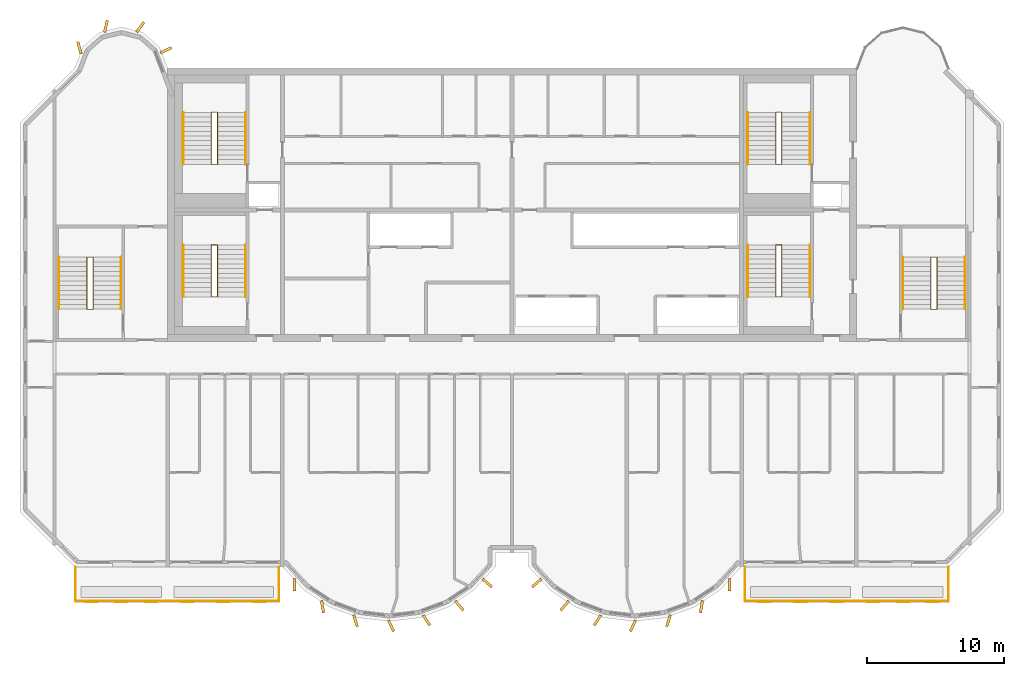
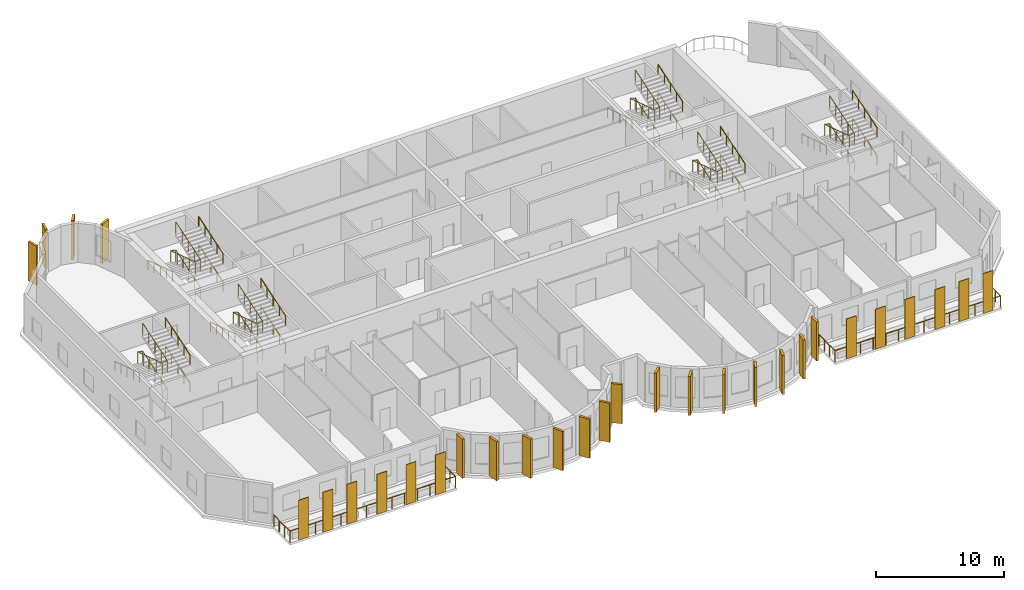
# One storey, part 9 of 11: 30 coverings, 26 railings.
"""IFC4 building model written with IfcOpenShell, lengths in metres."""

from ifc_helpers import new_model, si_unit, direction, frame, origin, origin_2d, place, context, subcontext, project, spatial, rectangle, circle, extrude, source, transform, mapped, material, layer, layer_set, material_profile, profile_set, type_object, element, save


model = new_model("IFC4")

# Units and contexts
model_context = context("Model", 3, precision=1e-05, world=origin(), true_north=direction((0.0, 1.0)))
body_context = subcontext(model_context, "Body", "Model", "MODEL_VIEW")
ifc_project = project(units=[si_unit("LENGTHUNIT", "METRE"), si_unit("AREAUNIT", "SQUARE_METRE"), si_unit("VOLUMEUNIT", "CUBIC_METRE"), si_unit("PLANEANGLEUNIT", "RADIAN"), si_unit("MASSUNIT", "GRAM", prefix="KILO")], contexts=[model_context])

# Site, building, storey
site_placement = place(None, origin())
site = spatial("IfcSite", under=ifc_project, at=site_placement, CompositionType="ELEMENT")
building_placement = place(site_placement, origin())
building = spatial("IfcBuilding", under=site, at=building_placement, Name="Vanashikhar Sky Hotel", CompositionType="ELEMENT")
storey_placement = place(building_placement, frame((0.0, 0.0, 305.699951171875)))
storey = spatial("IfcBuildingStorey", under=building, at=storey_placement, Name="L73", CompositionType="ELEMENT", Elevation=305.699951171875)

# Railings
ifc_material_1 = material(Name="Stainless steel 316", Category="steel")
railing_type_1 = type_object("IfcRailingType", Name="Balcony guard 1100", PredefinedType="GUARDRAIL", material=ifc_material_1)
shared_shape_1 = source(origin(), body_context, "Body", "SweptSolid", [
    extrude(circle(Radius=0.02392578125, at=origin_2d()), frame((0.0, 0.0, 1.076171875), z_axis=(0.0, -1.0, 0.0), x_axis=(1.0, 0.0, 0.0)), (0.0, 0.0, 1.0), 2.5),
    extrude(circle(Radius=0.02392578125, at=origin_2d()), frame((0.0, -2.5, 1.076171875), z_axis=(1.0, 0.0, 0.0), x_axis=(0.0, 1.0, 0.0)), (0.0, 0.0, 1.0), 14.880126953125),
    extrude(circle(Radius=0.02392578125, at=origin_2d()), frame((14.880126953125, -2.5, 1.076171875), z_axis=(0.0, 1.0, 0.0), x_axis=(-1.0, 0.0, 0.0)), (0.0, 0.0, 1.0), 2.5),
    extrude(circle(Radius=0.02099609375, at=origin_2d()), origin(), (0.0, 0.0, 1.0), 1.052001953125),
    extrude(circle(Radius=0.02099609375, at=origin_2d()), frame((0.0, -0.833251953125, 0.0)), (0.0, 0.0, 1.0), 1.052001953125),
    extrude(circle(Radius=0.02099609375, at=origin_2d()), frame((0.0, -1.666748046875, 0.0)), (0.0, 0.0, 1.0), 1.052001953125),
    extrude(circle(Radius=0.02099609375, at=origin_2d()), frame((0.0, -2.5, 0.0)), (0.0, 0.0, 1.0), 1.052001953125),
    extrude(circle(Radius=0.02099609375, at=origin_2d()), frame((1.14453125, -2.5, 0.0)), (0.0, 0.0, 1.0), 1.052001953125),
    extrude(circle(Radius=0.02099609375, at=origin_2d()), frame((2.289306640625, -2.5, 0.0)), (0.0, 0.0, 1.0), 1.052001953125),
    extrude(circle(Radius=0.02099609375, at=origin_2d()), frame((3.433837890625, -2.5, 0.0)), (0.0, 0.0, 1.0), 1.052001953125),
    extrude(circle(Radius=0.02099609375, at=origin_2d()), frame((4.57861328125, -2.5, 0.0)), (0.0, 0.0, 1.0), 1.052001953125),
    extrude(circle(Radius=0.02099609375, at=origin_2d()), frame((5.72314453125, -2.5, 0.0)), (0.0, 0.0, 1.0), 1.052001953125),
    extrude(circle(Radius=0.02099609375, at=origin_2d()), frame((6.86767578125, -2.5, 0.0)), (0.0, 0.0, 1.0), 1.052001953125),
    extrude(circle(Radius=0.02099609375, at=origin_2d()), frame((8.012451171875, -2.5, 0.0)), (0.0, 0.0, 1.0), 1.052001953125),
    extrude(circle(Radius=0.02099609375, at=origin_2d()), frame((9.156982421875, -2.5, 0.0)), (0.0, 0.0, 1.0), 1.052001953125),
    extrude(circle(Radius=0.02099609375, at=origin_2d()), frame((10.301513671875, -2.5, 0.0)), (0.0, 0.0, 1.0), 1.052001953125),
    extrude(circle(Radius=0.02099609375, at=origin_2d()), frame((11.4462890625, -2.5, 0.0)), (0.0, 0.0, 1.0), 1.052001953125),
    extrude(circle(Radius=0.02099609375, at=origin_2d()), frame((12.5908203125, -2.5, 0.0)), (0.0, 0.0, 1.0), 1.052001953125),
    extrude(circle(Radius=0.02099609375, at=origin_2d()), frame((13.735595703125, -2.5, 0.0)), (0.0, 0.0, 1.0), 1.052001953125),
    extrude(circle(Radius=0.02099609375, at=origin_2d()), frame((14.880126953125, -2.5, 0.0)), (0.0, 0.0, 1.0), 1.052001953125),
    extrude(circle(Radius=0.02099609375, at=origin_2d()), frame((14.880126953125, -1.666748046875, 0.0)), (0.0, 0.0, 1.0), 1.052001953125),
    extrude(circle(Radius=0.02099609375, at=origin_2d()), frame((14.880126953125, -0.833251953125, 0.0)), (0.0, 0.0, 1.0), 1.052001953125),
    extrude(circle(Radius=0.02099609375, at=origin_2d()), frame((14.880126953125, 0.0, 0.0)), (0.0, 0.0, 1.0), 1.052001953125),
])
for number, where, name in (
    (1, (18.4599609375, 5.5, -0.050048828125), "Balcony guard"),
    (2, (67.4599609375, 5.5, -0.050048828125), "Balcony guard"),
):
    element("IfcRailing", number, at=place(storey_placement, frame(where)), inside=storey, type_object=railing_type_1, Name=name, PredefinedType="GUARDRAIL", context=body_context, shape_type="MappedRepresentation", body=[
        mapped(shared_shape_1, transform((0.0, 0.0, 0.0), scale=1.0)),
    ])

# Coverings
ifc_material_2 = material(Name="Terracotta", Category="masonry")
ifc_layer = layer(ifc_material_2, 0.06005859375)
ifc_layer_set = layer_set([ifc_layer], Name="Terracotta baguette screen")
covering_type_1 = type_object("IfcCoveringType", Name="Terracotta baguette screen", PredefinedType="CLADDING", material=ifc_layer_set)
shared_shape_2 = source(origin(), body_context, "Body", "SweptSolid", [
    extrude(rectangle(XDim=0.89990234375, YDim=0.06005859375, at=origin_2d()), origin(), (0.0, 0.0, 1.0), 3.800048828125),
])
for number, where, z_axis, x_axis, name in (
    (3, (19.63330078125, 2.929931640625, -0.0498046875), (0.0, 0.0, 1.0), (1.0, 0.0, 0.0), "Terracotta screen"),
    (4, (21.800048828125, 2.929931640625, -0.0498046875), (0.0, 0.0, 1.0), (1.0, 0.0, 0.0), "Terracotta screen"),
    (5, (23.966796875, 2.929931640625, -0.0498046875), (0.0, 0.0, 1.0), (1.0, 0.0, 0.0), "Terracotta screen"),
    (6, (26.666748046875, 2.929931640625, -0.0498046875), (0.0, 0.0, 1.0), (1.0, 0.0, 0.0), "Terracotta screen"),
    (7, (29.300048828125, 2.929931640625, -0.0498046875), (0.0, 0.0, 1.0), (1.0, 0.0, 0.0), "Terracotta screen"),
    (8, (31.933349609375, 2.929931640625, -0.0498046875), (0.0, 0.0, 1.0), (1.0, 0.0, 0.0), "Terracotta screen"),
    (9, (68.86669921875, 2.929931640625, -0.0498046875), (0.0, 0.0, 1.0), (1.0, 0.0, 0.0), "Terracotta screen"),
    (10, (71.5, 2.929931640625, -0.0498046875), (0.0, 0.0, 1.0), (1.0, 0.0, 0.0), "Terracotta screen"),
    (11, (74.13330078125, 2.929931640625, -0.0498046875), (0.0, 0.0, 1.0), (1.0, 0.0, 0.0), "Terracotta screen"),
    (12, (76.833251953125, 2.929931640625, -0.0498046875), (0.0, 0.0, 1.0), (1.0, 0.0, 0.0), "Terracotta screen"),
    (13, (79.0, 2.929931640625, -0.0498046875), (0.0, 0.0, 1.0), (1.0, 0.0, 0.0), "Terracotta screen"),
    (14, (81.166748046875, 2.929931640625, -0.0498046875), (0.0, 0.0, 1.0), (1.0, 0.0, 0.0), "Terracotta screen"),
):
    element("IfcCovering", number, at=place(storey_placement, frame(where, z_axis=z_axis, x_axis=x_axis)), inside=storey, type_object=covering_type_1, Name=name, PredefinedType="CLADDING", context=body_context, shape_type="MappedRepresentation", body=[
        mapped(shared_shape_2, transform((0.0, 0.0, 0.0), scale=1.0)),
    ])
ifc_material_3 = material(Name="Concrete M60 dark", Category="concrete")
ifc_material_profile = material_profile(ifc_material_3, rectangle(XDim=0.89990234375, YDim=0.199951171875, at=origin_2d()))
ifc_profile_set = profile_set([ifc_material_profile], Name="Crown fin 900 x 200")
covering_type_2 = type_object("IfcCoveringType", Name="Crown fin 900 x 200", PredefinedType="CLADDING", material=ifc_profile_set)
shared_shape_3 = source(origin(), body_context, "Body", "SweptSolid", [
    extrude(rectangle(XDim=0.89990234375, YDim=0.199951171875, at=origin_2d()), origin(), (0.0, 0.0, 1.0), 3.719970703125),
])
for number, where, z_axis, x_axis, name in (
    (15, (34.47998046875, 4.193115234375, 0.0), (0.0, 0.0, 1.0), (0.011588726826, -0.999932848451, 0.0), "Fin F1-1"),
    (16, (36.53857421875, 2.5751953125, 0.0), (0.0, 0.0, 1.0), (0.16989991575, -0.985461322746, 0.0), "Fin F1-2"),
    (17, (38.947509765625, 1.547607421875, 0.0), (0.0, 0.0, 1.0), (0.303966551867, -0.952682704444, 0.0), "Fin F1-3"),
    (18, (41.5478515625, 1.182861328125, 0.0), (0.0, 0.0, 1.0), (0.422618261741, -0.906307787037, 0.0), "Fin F1-4"),
    (19, (44.14501953125, 1.585205078125, 0.0), (0.0, 0.0, 1.0), (0.534411358496, -0.845224526331, 0.0), "Fin F1-5"),
    (20, (46.547119140625, 2.652587890625, 0.0), (0.0, 0.0, 1.0), (0.645697609467, -0.763593214433, 0.0), "Fin F1-6"),
    (21, (48.589599609375, 4.31494140625, 0.0), (0.0, 0.0, 1.0), (0.758543912032, -0.65162192529, 0.0), "Fin F1-7"),
    (22, (52.21044921875, 4.31494140625, 0.0), (0.0, 0.0, 1.0), (-0.758543912032, -0.65162192529, 0.0), "Fin F2-1"),
    (23, (54.2529296875, 2.652587890625, 0.0), (0.0, 0.0, 1.0), (-0.645697609467, -0.763593214433, 0.0), "Fin F2-2"),
    (24, (56.654052734375, 1.585205078125, 0.0), (0.0, 0.0, 1.0), (-0.534411358496, -0.845224526331, 0.0), "Fin F2-3"),
    (25, (59.252197265625, 1.182861328125, 0.0), (0.0, 0.0, 1.0), (-0.422618261741, -0.906307787037, 0.0), "Fin F2-4"),
    (26, (61.8515625, 1.547607421875, 0.0), (0.0, 0.0, 1.0), (-0.303966551867, -0.952682704444, 0.0), "Fin F2-5"),
    (27, (64.261474609375, 2.5751953125, 0.0), (0.0, 0.0, 1.0), (-0.16989991575, -0.985461322746, 0.0), "Fin F2-6"),
    (28, (66.31982421875, 4.193115234375, 0.0), (0.0, 0.0, 1.0), (-0.011588726826, -0.999932848451, 0.0), "Fin F2-7"),
    (29, (18.7470703125, 43.483642578125, 0.0), (0.0, 0.0, 1.0), (-0.262711264409, 0.964874495234, 0.0), "Fin R1-1"),
    (30, (20.6875, 45.048095703125, 0.0), (0.0, 0.0, 1.0), (0.224644935864, 0.974440687159, 0.0), "Fin R1-2"),
    (31, (23.20166015625, 44.986572265625, 0.0), (0.0, 0.0, 1.0), (0.602065892195, 0.798446404874, 0.0), "Fin R1-3"),
    (32, (25.078857421875, 43.29248046875, 0.0), (0.0, 0.0, 1.0), (0.908004291068, 0.418960866193, 0.0), "Fin R1-4"),
):
    element("IfcCovering", number, at=place(storey_placement, frame(where, z_axis=z_axis, x_axis=x_axis)), inside=storey, type_object=covering_type_2, Name=name, PredefinedType="CLADDING", context=body_context, shape_type="MappedRepresentation", body=[
        mapped(shared_shape_3, transform((0.0, 0.0, 0.0), scale=1.0)),
    ])

# Railings
ifc_material_4 = material(Name="Steel S355", Category="steel")
railing_type_2 = type_object("IfcRailingType", Name="Stair handrail 900", PredefinedType="HANDRAIL", material=ifc_material_4)
shared_shape_4 = source(origin(), body_context, "Body", "SweptSolid", [
    extrude(circle(Radius=0.02392578125, at=origin_2d()), frame((0.0, 0.0, 0.8759765625), z_axis=(0.0, 0.95197572919, 0.306173498254), x_axis=(-1.0, 0.0, 0.0)), (0.0, 0.0, 1.0), 3.99169921875),
    extrude(circle(Radius=0.02099609375, at=origin_2d()), origin(), (0.0, 0.0, 1.0), 0.851806640625),
    extrude(circle(Radius=0.02099609375, at=origin_2d()), frame((0.0, 0.949951171875, 0.3056640625)), (0.0, 0.0, 1.0), 0.851806640625),
    extrude(circle(Radius=0.02099609375, at=origin_2d()), frame((0.0, 1.89990234375, 0.611083984375)), (0.0, 0.0, 1.0), 0.851806640625),
    extrude(circle(Radius=0.02099609375, at=origin_2d()), frame((0.0, 2.85009765625, 0.91650390625)), (0.0, 0.0, 1.0), 0.851806640625),
    extrude(circle(Radius=0.02099609375, at=origin_2d()), frame((0.0, 3.800048828125, 1.22216796875)), (0.0, 0.0, 1.0), 0.851806640625),
])
for number, where, name in (
    (33, (30.89990234375, 25.25, 2.77783203125), "Exit stair 1 handrail"),
    (34, (72.199951171875, 25.25, 2.77783203125), "Exit stair 2 handrail"),
    (35, (30.89990234375, 34.949951171875, 2.77783203125), "Exit stair 5 handrail"),
    (36, (72.199951171875, 34.949951171875, 2.77783203125), "Exit stair 6 handrail"),
):
    element("IfcRailing", number, at=place(storey_placement, frame(where)), inside=storey, type_object=railing_type_2, Name=name, PredefinedType="HANDRAIL", context=body_context, shape_type="MappedRepresentation", body=[
        mapped(shared_shape_4, transform((0.0, 0.0, 0.0), scale=1.0)),
    ])
shared_shape_5 = source(origin(), body_context, "Body", "SweptSolid", [
    extrude(circle(Radius=0.02392578125, at=origin_2d()), frame((0.0, 0.0, 0.8759765625), z_axis=(0.0, -0.95197572919, 0.306173498254), x_axis=(1.0, 0.0, 0.0)), (0.0, 0.0, 1.0), 3.99169921875),
    extrude(circle(Radius=0.02099609375, at=origin_2d()), origin(), (0.0, 0.0, 1.0), 0.851806640625),
    extrude(circle(Radius=0.02099609375, at=origin_2d()), frame((0.0, -0.949951171875, 0.3056640625)), (0.0, 0.0, 1.0), 0.851806640625),
    extrude(circle(Radius=0.02099609375, at=origin_2d()), frame((0.0, -1.89990234375, 0.611083984375)), (0.0, 0.0, 1.0), 0.851806640625),
    extrude(circle(Radius=0.02099609375, at=origin_2d()), frame((0.0, -2.85009765625, 0.91650390625)), (0.0, 0.0, 1.0), 0.851806640625),
    extrude(circle(Radius=0.02099609375, at=origin_2d()), frame((0.0, -3.800048828125, 1.22216796875)), (0.0, 0.0, 1.0), 0.851806640625),
])
for number, where, name in (
    (37, (26.35009765625, 29.050048828125, 1.444580078125), "Exit stair 1 handrail"),
    (38, (67.64990234375, 29.050048828125, 1.444580078125), "Exit stair 2 handrail"),
    (39, (26.35009765625, 38.75, 1.444580078125), "Exit stair 5 handrail"),
    (40, (67.64990234375, 38.75, 1.444580078125), "Exit stair 6 handrail"),
):
    element("IfcRailing", number, at=place(storey_placement, frame(where)), inside=storey, type_object=railing_type_2, Name=name, PredefinedType="HANDRAIL", context=body_context, shape_type="MappedRepresentation", body=[
        mapped(shared_shape_5, transform((0.0, 0.0, 0.0), scale=1.0)),
    ])
railing_type_3 = type_object("IfcRailingType", Name="Stair guard 1100", PredefinedType="GUARDRAIL", material=ifc_material_4)
shared_shape_6 = source(origin(), body_context, "Body", "SweptSolid", [
    extrude(circle(Radius=0.02392578125, at=origin_2d()), frame((0.0, 0.0, 1.076171875), z_axis=(0.970881249867, 0.0, 0.239561262847), x_axis=(0.0, 1.0, 0.0)), (0.0, 0.0, 1.0), 0.463623046875),
    extrude(circle(Radius=0.02392578125, at=origin_2d()), frame((0.4501953125, 0.0, 1.18701171875), z_axis=(0.0, 0.95195790124, 0.306228924607), x_axis=(-1.0, 0.0, 0.0)), (0.0, 0.0, 1.0), 3.991943359375),
    extrude(circle(Radius=0.02392578125, at=origin_2d()), frame((0.4501953125, 3.800048828125, 2.40966796875), z_axis=(-0.970881249867, 0.0, 0.239561262847), x_axis=(0.0, -1.0, 0.0)), (0.0, 0.0, 1.0), 0.463623046875),
    extrude(circle(Radius=0.02392578125, at=origin_2d()), frame((0.0, 3.800048828125, 2.5205078125), z_axis=(0.0, -0.95197572919, 0.306173498254), x_axis=(1.0, 0.0, 0.0)), (0.0, 0.0, 1.0), 3.99169921875),
    extrude(circle(Radius=0.02392578125, at=origin_2d()), frame((0.0, 0.0, 3.74267578125), z_axis=(0.970881249867, 0.0, 0.239561262847), x_axis=(0.0, 1.0, 0.0)), (0.0, 0.0, 1.0), 0.463623046875),
    extrude(circle(Radius=0.02392578125, at=origin_2d()), frame((0.4501953125, 0.0, 3.85400390625), z_axis=(0.0, 0.95197572919, 0.306173498254), x_axis=(-1.0, 0.0, 0.0)), (0.0, 0.0, 1.0), 3.99169921875),
    extrude(circle(Radius=0.02099609375, at=origin_2d()), origin(), (0.0, 0.0, 1.0), 1.052001953125),
    extrude(circle(Radius=0.02099609375, at=origin_2d()), frame((0.4501953125, 0.0, 0.111083984375)), (0.0, 0.0, 1.0), 1.052001953125),
    extrude(circle(Radius=0.02099609375, at=origin_2d()), frame((0.4501953125, 0.949951171875, 0.416748046875)), (0.0, 0.0, 1.0), 1.052001953125),
    extrude(circle(Radius=0.02099609375, at=origin_2d()), frame((0.4501953125, 1.89990234375, 0.72216796875)), (0.0, 0.0, 1.0), 1.052001953125),
    extrude(circle(Radius=0.02099609375, at=origin_2d()), frame((0.4501953125, 2.85009765625, 1.02783203125)), (0.0, 0.0, 1.0), 1.052001953125),
    extrude(circle(Radius=0.02099609375, at=origin_2d()), frame((0.4501953125, 3.800048828125, 1.33349609375)), (0.0, 0.0, 1.0), 1.052001953125),
    extrude(circle(Radius=0.02099609375, at=origin_2d()), frame((0.0, 3.800048828125, 1.444580078125)), (0.0, 0.0, 1.0), 1.052001953125),
    extrude(circle(Radius=0.02099609375, at=origin_2d()), frame((0.0, 2.85009765625, 1.75)), (0.0, 0.0, 1.0), 1.052001953125),
    extrude(circle(Radius=0.02099609375, at=origin_2d()), frame((0.0, 1.89990234375, 2.0556640625)), (0.0, 0.0, 1.0), 1.052001953125),
    extrude(circle(Radius=0.02099609375, at=origin_2d()), frame((0.0, 0.949951171875, 2.361328125)), (0.0, 0.0, 1.0), 1.052001953125),
    extrude(circle(Radius=0.02099609375, at=origin_2d()), frame((0.0, 0.0, 2.666748046875)), (0.0, 0.0, 1.0), 1.052001953125),
    extrude(circle(Radius=0.02099609375, at=origin_2d()), frame((0.4501953125, 0.0, 2.77783203125)), (0.0, 0.0, 1.0), 1.052001953125),
    extrude(circle(Radius=0.02099609375, at=origin_2d()), frame((0.4501953125, 0.949951171875, 3.08349609375)), (0.0, 0.0, 1.0), 1.052001953125),
    extrude(circle(Radius=0.02099609375, at=origin_2d()), frame((0.4501953125, 1.89990234375, 3.388916015625)), (0.0, 0.0, 1.0), 1.052001953125),
    extrude(circle(Radius=0.02099609375, at=origin_2d()), frame((0.4501953125, 2.85009765625, 3.6943359375)), (0.0, 0.0, 1.0), 1.052001953125),
    extrude(circle(Radius=0.02099609375, at=origin_2d()), frame((0.4501953125, 3.800048828125, 4.0)), (0.0, 0.0, 1.0), 1.052001953125),
])
for number, where, name in (
    (41, (28.39990234375, 25.25, 0.0), "Exit stair 1 guard"),
    (42, (28.39990234375, 34.949951171875, 0.0), "Exit stair 5 guard"),
):
    element("IfcRailing", number, at=place(storey_placement, frame(where)), inside=storey, type_object=railing_type_3, Name=name, PredefinedType="GUARDRAIL", context=body_context, shape_type="MappedRepresentation", body=[
        mapped(shared_shape_6, transform((0.0, 0.0, 0.0), scale=1.0)),
    ])
shared_shape_7 = source(origin(), body_context, "Body", "SweptSolid", [
    extrude(circle(Radius=0.02392578125, at=origin_2d()), frame((0.0, 0.0, 0.8759765625), z_axis=(0.0, 0.95195790124, 0.306228924607), x_axis=(-1.0, 0.0, 0.0)), (0.0, 0.0, 1.0), 3.991943359375),
    extrude(circle(Radius=0.02099609375, at=origin_2d()), origin(), (0.0, 0.0, 1.0), 0.851806640625),
    extrude(circle(Radius=0.02099609375, at=origin_2d()), frame((0.0, 0.949951171875, 0.3056640625)), (0.0, 0.0, 1.0), 0.851806640625),
    extrude(circle(Radius=0.02099609375, at=origin_2d()), frame((0.0, 1.89990234375, 0.611328125)), (0.0, 0.0, 1.0), 0.851806640625),
    extrude(circle(Radius=0.02099609375, at=origin_2d()), frame((0.0, 2.85009765625, 0.916748046875)), (0.0, 0.0, 1.0), 0.851806640625),
    extrude(circle(Radius=0.02099609375, at=origin_2d()), frame((0.0, 3.800048828125, 1.222412109375)), (0.0, 0.0, 1.0), 0.851806640625),
])
for number, where, name in (
    (43, (30.89990234375, 25.25, 0.111083984375), "Exit stair 1 handrail"),
    (44, (72.199951171875, 25.25, 0.111083984375), "Exit stair 2 handrail"),
    (45, (30.89990234375, 34.949951171875, 0.111083984375), "Exit stair 5 handrail"),
    (46, (72.199951171875, 34.949951171875, 0.111083984375), "Exit stair 6 handrail"),
):
    element("IfcRailing", number, at=place(storey_placement, frame(where)), inside=storey, type_object=railing_type_2, Name=name, PredefinedType="HANDRAIL", context=body_context, shape_type="MappedRepresentation", body=[
        mapped(shared_shape_7, transform((0.0, 0.0, 0.0), scale=1.0)),
    ])
shared_shape_8 = source(origin(), body_context, "Body", "SweptSolid", [
    extrude(circle(Radius=0.02392578125, at=origin_2d()), frame((0.0, 0.0, 1.076171875), z_axis=(0.970851010584, 0.0, 0.239683781777), x_axis=(0.0, 1.0, 0.0)), (0.0, 0.0, 1.0), 0.46337890625),
    extrude(circle(Radius=0.02392578125, at=origin_2d()), frame((0.449951171875, 0.0, 1.18701171875), z_axis=(0.0, 0.95195790124, 0.306228924607), x_axis=(-1.0, 0.0, 0.0)), (0.0, 0.0, 1.0), 3.991943359375),
    extrude(circle(Radius=0.02392578125, at=origin_2d()), frame((0.449951171875, 3.800048828125, 2.40966796875), z_axis=(-0.970851010584, 0.0, 0.239683781777), x_axis=(0.0, -1.0, 0.0)), (0.0, 0.0, 1.0), 0.46337890625),
    extrude(circle(Radius=0.02392578125, at=origin_2d()), frame((0.0, 3.800048828125, 2.5205078125), z_axis=(0.0, -0.95197572919, 0.306173498254), x_axis=(1.0, 0.0, 0.0)), (0.0, 0.0, 1.0), 3.99169921875),
    extrude(circle(Radius=0.02392578125, at=origin_2d()), frame((0.0, 0.0, 3.74267578125), z_axis=(0.970851010584, 0.0, 0.239683781777), x_axis=(0.0, 1.0, 0.0)), (0.0, 0.0, 1.0), 0.46337890625),
    extrude(circle(Radius=0.02392578125, at=origin_2d()), frame((0.449951171875, 0.0, 3.85400390625), z_axis=(0.0, 0.95197572919, 0.306173498254), x_axis=(-1.0, 0.0, 0.0)), (0.0, 0.0, 1.0), 3.99169921875),
    extrude(circle(Radius=0.02099609375, at=origin_2d()), origin(), (0.0, 0.0, 1.0), 1.052001953125),
    extrude(circle(Radius=0.02099609375, at=origin_2d()), frame((0.449951171875, 0.0, 0.111083984375)), (0.0, 0.0, 1.0), 1.052001953125),
    extrude(circle(Radius=0.02099609375, at=origin_2d()), frame((0.449951171875, 0.949951171875, 0.416748046875)), (0.0, 0.0, 1.0), 1.052001953125),
    extrude(circle(Radius=0.02099609375, at=origin_2d()), frame((0.449951171875, 1.89990234375, 0.72216796875)), (0.0, 0.0, 1.0), 1.052001953125),
    extrude(circle(Radius=0.02099609375, at=origin_2d()), frame((0.449951171875, 2.85009765625, 1.02783203125)), (0.0, 0.0, 1.0), 1.052001953125),
    extrude(circle(Radius=0.02099609375, at=origin_2d()), frame((0.449951171875, 3.800048828125, 1.33349609375)), (0.0, 0.0, 1.0), 1.052001953125),
    extrude(circle(Radius=0.02099609375, at=origin_2d()), frame((0.0, 3.800048828125, 1.444580078125)), (0.0, 0.0, 1.0), 1.052001953125),
    extrude(circle(Radius=0.02099609375, at=origin_2d()), frame((0.0, 2.85009765625, 1.75)), (0.0, 0.0, 1.0), 1.052001953125),
    extrude(circle(Radius=0.02099609375, at=origin_2d()), frame((0.0, 1.89990234375, 2.0556640625)), (0.0, 0.0, 1.0), 1.052001953125),
    extrude(circle(Radius=0.02099609375, at=origin_2d()), frame((0.0, 0.949951171875, 2.361328125)), (0.0, 0.0, 1.0), 1.052001953125),
    extrude(circle(Radius=0.02099609375, at=origin_2d()), frame((0.0, 0.0, 2.666748046875)), (0.0, 0.0, 1.0), 1.052001953125),
    extrude(circle(Radius=0.02099609375, at=origin_2d()), frame((0.449951171875, 0.0, 2.77783203125)), (0.0, 0.0, 1.0), 1.052001953125),
    extrude(circle(Radius=0.02099609375, at=origin_2d()), frame((0.449951171875, 0.949951171875, 3.08349609375)), (0.0, 0.0, 1.0), 1.052001953125),
    extrude(circle(Radius=0.02099609375, at=origin_2d()), frame((0.449951171875, 1.89990234375, 3.388916015625)), (0.0, 0.0, 1.0), 1.052001953125),
    extrude(circle(Radius=0.02099609375, at=origin_2d()), frame((0.449951171875, 2.85009765625, 3.6943359375)), (0.0, 0.0, 1.0), 1.052001953125),
    extrude(circle(Radius=0.02099609375, at=origin_2d()), frame((0.449951171875, 3.800048828125, 4.0)), (0.0, 0.0, 1.0), 1.052001953125),
])
for number, where, name in (
    (47, (69.699951171875, 25.25, 0.0), "Exit stair 2 guard"),
    (48, (69.699951171875, 34.949951171875, 0.0), "Exit stair 6 guard"),
):
    element("IfcRailing", number, at=place(storey_placement, frame(where)), inside=storey, type_object=railing_type_3, Name=name, PredefinedType="GUARDRAIL", context=body_context, shape_type="MappedRepresentation", body=[
        mapped(shared_shape_8, transform((0.0, 0.0, 0.0), scale=1.0)),
    ])
shared_shape_9 = source(origin(), body_context, "Body", "SweptSolid", [
    extrude(circle(Radius=0.02392578125, at=origin_2d()), frame((0.0, 0.0, 0.8759765625), z_axis=(0.0, 0.951969995293, 0.306191325908), x_axis=(-1.0, 0.0, 0.0)), (0.0, 0.0, 1.0), 3.991455078125),
    extrude(circle(Radius=0.02099609375, at=origin_2d()), origin(), (0.0, 0.0, 1.0), 0.851806640625),
    extrude(circle(Radius=0.02099609375, at=origin_2d()), frame((0.0, 0.949951171875, 0.3056640625)), (0.0, 0.0, 1.0), 0.851806640625),
    extrude(circle(Radius=0.02099609375, at=origin_2d()), frame((0.0, 1.89990234375, 0.611083984375)), (0.0, 0.0, 1.0), 0.851806640625),
    extrude(circle(Radius=0.02099609375, at=origin_2d()), frame((0.0, 2.849853515625, 0.91650390625)), (0.0, 0.0, 1.0), 0.851806640625),
    extrude(circle(Radius=0.02099609375, at=origin_2d()), frame((0.0, 3.7998046875, 1.22216796875)), (0.0, 0.0, 1.0), 0.851806640625),
])
for number, where, name in (
    (49, (21.800048828125, 24.35009765625, 2.77783203125), "Exit stair 3 handrail"),
    (50, (83.550048828125, 24.35009765625, 2.77783203125), "Exit stair 4 handrail"),
):
    element("IfcRailing", number, at=place(storey_placement, frame(where)), inside=storey, type_object=railing_type_2, Name=name, PredefinedType="HANDRAIL", context=body_context, shape_type="MappedRepresentation", body=[
        mapped(shared_shape_9, transform((0.0, 0.0, 0.0), scale=1.0)),
    ])
shared_shape_10 = source(origin(), body_context, "Body", "SweptSolid", [
    extrude(circle(Radius=0.02392578125, at=origin_2d()), frame((0.0, 0.0, 0.8759765625), z_axis=(0.0, -0.951969995293, 0.306191325908), x_axis=(1.0, 0.0, 0.0)), (0.0, 0.0, 1.0), 3.991455078125),
    extrude(circle(Radius=0.02099609375, at=origin_2d()), origin(), (0.0, 0.0, 1.0), 0.851806640625),
    extrude(circle(Radius=0.02099609375, at=origin_2d()), frame((0.0, -0.949951171875, 0.3056640625)), (0.0, 0.0, 1.0), 0.851806640625),
    extrude(circle(Radius=0.02099609375, at=origin_2d()), frame((0.0, -1.89990234375, 0.611083984375)), (0.0, 0.0, 1.0), 0.851806640625),
    extrude(circle(Radius=0.02099609375, at=origin_2d()), frame((0.0, -2.849853515625, 0.91650390625)), (0.0, 0.0, 1.0), 0.851806640625),
    extrude(circle(Radius=0.02099609375, at=origin_2d()), frame((0.0, -3.7998046875, 1.22216796875)), (0.0, 0.0, 1.0), 0.851806640625),
])
for number, where, name in (
    (51, (17.25, 28.14990234375, 1.444580078125), "Exit stair 3 handrail"),
    (52, (79.0, 28.14990234375, 1.444580078125), "Exit stair 4 handrail"),
):
    element("IfcRailing", number, at=place(storey_placement, frame(where)), inside=storey, type_object=railing_type_2, Name=name, PredefinedType="HANDRAIL", context=body_context, shape_type="MappedRepresentation", body=[
        mapped(shared_shape_10, transform((0.0, 0.0, 0.0), scale=1.0)),
    ])
shared_shape_11 = source(origin(), body_context, "Body", "SweptSolid", [
    extrude(circle(Radius=0.02392578125, at=origin_2d()), frame((0.0, 0.0, 1.076171875), z_axis=(0.970851010584, 0.0, 0.239683781777), x_axis=(0.0, 1.0, 0.0)), (0.0, 0.0, 1.0), 0.46337890625),
    extrude(circle(Radius=0.02392578125, at=origin_2d()), frame((0.449951171875, 0.0, 1.18701171875), z_axis=(0.0, 0.951952165375, 0.306246754821), x_axis=(-1.0, 0.0, 0.0)), (0.0, 0.0, 1.0), 3.99169921875),
    extrude(circle(Radius=0.02392578125, at=origin_2d()), frame((0.449951171875, 3.7998046875, 2.40966796875), z_axis=(-0.970851010584, 0.0, 0.239683781777), x_axis=(0.0, -1.0, 0.0)), (0.0, 0.0, 1.0), 0.46337890625),
    extrude(circle(Radius=0.02392578125, at=origin_2d()), frame((0.0, 3.7998046875, 2.5205078125), z_axis=(0.0, -0.951969995293, 0.306191325908), x_axis=(1.0, 0.0, 0.0)), (0.0, 0.0, 1.0), 3.991455078125),
    extrude(circle(Radius=0.02392578125, at=origin_2d()), frame((0.0, 0.0, 3.74267578125), z_axis=(0.970851010584, 0.0, 0.239683781777), x_axis=(0.0, 1.0, 0.0)), (0.0, 0.0, 1.0), 0.46337890625),
    extrude(circle(Radius=0.02392578125, at=origin_2d()), frame((0.449951171875, 0.0, 3.85400390625), z_axis=(0.0, 0.951969995293, 0.306191325908), x_axis=(-1.0, 0.0, 0.0)), (0.0, 0.0, 1.0), 3.991455078125),
    extrude(circle(Radius=0.02099609375, at=origin_2d()), origin(), (0.0, 0.0, 1.0), 1.052001953125),
    extrude(circle(Radius=0.02099609375, at=origin_2d()), frame((0.449951171875, 0.0, 0.111083984375)), (0.0, 0.0, 1.0), 1.052001953125),
    extrude(circle(Radius=0.02099609375, at=origin_2d()), frame((0.449951171875, 0.949951171875, 0.416748046875)), (0.0, 0.0, 1.0), 1.052001953125),
    extrude(circle(Radius=0.02099609375, at=origin_2d()), frame((0.449951171875, 1.89990234375, 0.72216796875)), (0.0, 0.0, 1.0), 1.052001953125),
    extrude(circle(Radius=0.02099609375, at=origin_2d()), frame((0.449951171875, 2.849853515625, 1.02783203125)), (0.0, 0.0, 1.0), 1.052001953125),
    extrude(circle(Radius=0.02099609375, at=origin_2d()), frame((0.449951171875, 3.7998046875, 1.33349609375)), (0.0, 0.0, 1.0), 1.052001953125),
    extrude(circle(Radius=0.02099609375, at=origin_2d()), frame((0.0, 3.7998046875, 1.444580078125)), (0.0, 0.0, 1.0), 1.052001953125),
    extrude(circle(Radius=0.02099609375, at=origin_2d()), frame((0.0, 2.849853515625, 1.75)), (0.0, 0.0, 1.0), 1.052001953125),
    extrude(circle(Radius=0.02099609375, at=origin_2d()), frame((0.0, 1.89990234375, 2.0556640625)), (0.0, 0.0, 1.0), 1.052001953125),
    extrude(circle(Radius=0.02099609375, at=origin_2d()), frame((0.0, 0.949951171875, 2.361328125)), (0.0, 0.0, 1.0), 1.052001953125),
    extrude(circle(Radius=0.02099609375, at=origin_2d()), frame((0.0, 0.0, 2.666748046875)), (0.0, 0.0, 1.0), 1.052001953125),
    extrude(circle(Radius=0.02099609375, at=origin_2d()), frame((0.449951171875, 0.0, 2.77783203125)), (0.0, 0.0, 1.0), 1.052001953125),
    extrude(circle(Radius=0.02099609375, at=origin_2d()), frame((0.449951171875, 0.949951171875, 3.08349609375)), (0.0, 0.0, 1.0), 1.052001953125),
    extrude(circle(Radius=0.02099609375, at=origin_2d()), frame((0.449951171875, 1.89990234375, 3.388916015625)), (0.0, 0.0, 1.0), 1.052001953125),
    extrude(circle(Radius=0.02099609375, at=origin_2d()), frame((0.449951171875, 2.849853515625, 3.6943359375)), (0.0, 0.0, 1.0), 1.052001953125),
    extrude(circle(Radius=0.02099609375, at=origin_2d()), frame((0.449951171875, 3.7998046875, 4.0)), (0.0, 0.0, 1.0), 1.052001953125),
])
for number, where, name in (
    (53, (19.300048828125, 24.35009765625, 0.0), "Exit stair 3 guard"),
    (54, (81.050048828125, 24.35009765625, 0.0), "Exit stair 4 guard"),
):
    element("IfcRailing", number, at=place(storey_placement, frame(where)), inside=storey, type_object=railing_type_3, Name=name, PredefinedType="GUARDRAIL", context=body_context, shape_type="MappedRepresentation", body=[
        mapped(shared_shape_11, transform((0.0, 0.0, 0.0), scale=1.0)),
    ])
shared_shape_12 = source(origin(), body_context, "Body", "SweptSolid", [
    extrude(circle(Radius=0.02392578125, at=origin_2d()), frame((0.0, 0.0, 0.8759765625), z_axis=(0.0, 0.951952165375, 0.306246754821), x_axis=(-1.0, 0.0, 0.0)), (0.0, 0.0, 1.0), 3.99169921875),
    extrude(circle(Radius=0.02099609375, at=origin_2d()), origin(), (0.0, 0.0, 1.0), 0.851806640625),
    extrude(circle(Radius=0.02099609375, at=origin_2d()), frame((0.0, 0.949951171875, 0.3056640625)), (0.0, 0.0, 1.0), 0.851806640625),
    extrude(circle(Radius=0.02099609375, at=origin_2d()), frame((0.0, 1.89990234375, 0.611328125)), (0.0, 0.0, 1.0), 0.851806640625),
    extrude(circle(Radius=0.02099609375, at=origin_2d()), frame((0.0, 2.849853515625, 0.916748046875)), (0.0, 0.0, 1.0), 0.851806640625),
    extrude(circle(Radius=0.02099609375, at=origin_2d()), frame((0.0, 3.7998046875, 1.222412109375)), (0.0, 0.0, 1.0), 0.851806640625),
])
for number, where, name in (
    (55, (21.800048828125, 24.35009765625, 0.111083984375), "Exit stair 3 handrail"),
    (56, (83.550048828125, 24.35009765625, 0.111083984375), "Exit stair 4 handrail"),
):
    element("IfcRailing", number, at=place(storey_placement, frame(where)), inside=storey, type_object=railing_type_2, Name=name, PredefinedType="HANDRAIL", context=body_context, shape_type="MappedRepresentation", body=[
        mapped(shared_shape_12, transform((0.0, 0.0, 0.0), scale=1.0)),
    ])

save(model, "model.ifc")
